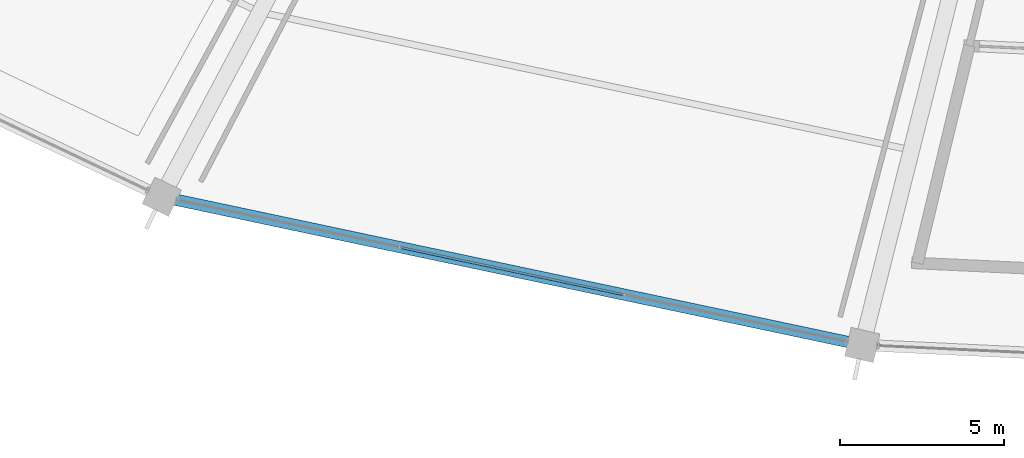
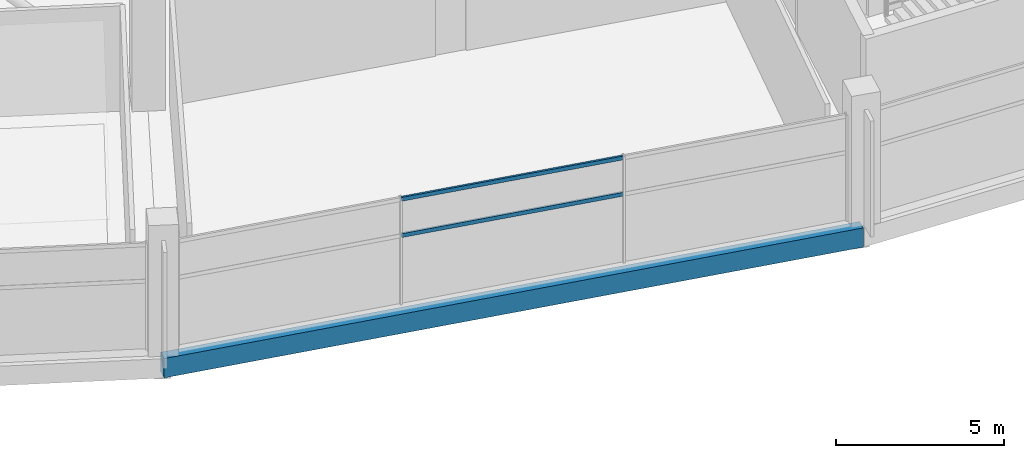
# One storey, part 14 of 156: 2 members, 1 beam, 1 element without a shape of its own.
"""IFC4 building model written with IfcOpenShell, lengths in metres."""

from ifc_helpers import new_model, si_unit, direction, frame, origin, origin_2d, place, context, subcontext, project, spatial, rectangle, hollow_rectangle, extrude, material, layer, layer_set, material_profile, profile_set, type_object, element, aggregate, save


model = new_model("IFC4")

# Units and contexts
model_context = context("Model", 3, precision=1e-05, world=origin(), true_north=direction((0.0, 1.0)))
body_context = subcontext(model_context, "Body", "Model", "MODEL_VIEW")
ifc_project = project(units=[si_unit("LENGTHUNIT", "METRE"), si_unit("AREAUNIT", "SQUARE_METRE"), si_unit("VOLUMEUNIT", "CUBIC_METRE"), si_unit("PLANEANGLEUNIT", "RADIAN"), si_unit("MASSUNIT", "GRAM", prefix="KILO")], contexts=[model_context])

# Site, building, storey
site_placement = place(None, origin())
site = spatial("IfcSite", under=ifc_project, at=site_placement, CompositionType="ELEMENT")
building_placement = place(site_placement, origin())
building = spatial("IfcBuilding", under=site, at=building_placement, Name="Kazemori Nagisa Stadium", CompositionType="ELEMENT")
storey_placement = place(building_placement, frame((0.0, 0.0, 5.780029296875)))
storey = spatial("IfcBuildingStorey", under=building, at=storey_placement, Name="L01", CompositionType="ELEMENT", Elevation=5.780029296875)

# Beam
ifc_material_1 = material(Name="Concrete C40/50 (Fc42)", Category="concrete")
ifc_material_profile_1 = material_profile(ifc_material_1, rectangle(XDim=0.35009765625, YDim=0.699951171875, at=origin_2d()), Name="RC-SP-350x700")
ifc_profile_set_1 = profile_set([ifc_material_profile_1], Name="Concrete C40/50 (Fc42)")
beam_type = type_object("IfcBeamType", Name="Beam_BS-RC350X700", PredefinedType="SPANDREL", material=ifc_profile_set_1)
beam_placement = place(storey_placement, frame((80.1953125, 21.53564453125, -0.630126953125), z_axis=(0.97834587432, -0.206976689994, 0.0), x_axis=(0.206976689994, 0.97834587432, 0.0)))
element("IfcBeam", 1, at=beam_placement, inside=storey, type_object=beam_type, Name="Ring girder BS-RC350X700 L01 R3-20", PredefinedType="SPANDREL", context=body_context, shape_type="SweptSolid", body=[
    extrude(rectangle(XDim=0.35009765625, YDim=0.699951171875, at=origin_2d()), origin(), (0.0, 0.0, 1.0), 21.85009765625),
])

# Curtain wall, members
ifc_material_2 = material(Name="Anodised aluminium 6063-T5", Category="aluminium")
ifc_layer = layer(ifc_material_2, 0.179931640625, Name="Anodised aluminium 6063-T5", Category="aluminium")
ifc_layer_set = layer_set([ifc_layer], Name="Anodised aluminium 6063-T5")
curtain_wall_type = type_object("IfcCurtainWallType", Name="CW_L01R3_105", PredefinedType="USERDEFINED", material=ifc_layer_set)
curtain_wall_placement = place(storey_placement, origin())
curtain_wall = element("IfcCurtainWall", 2, at=curtain_wall_placement, inside=storey, type_object=curtain_wall_type, Name="Unitised curtain wall CW-L01R3-105 L01", ObjectType="UNITISED CURTAIN WALL", PredefinedType="USERDEFINED")
ifc_material_3 = material(Name="Aluminium 6063-T5 anodised", Category="aluminium")
ifc_material_profile_2 = material_profile(ifc_material_3, hollow_rectangle(XDim=0.070068359375, YDim=0.139892578125, WallThickness=0.00390625, at=origin_2d()), Name="ALU-TRAN-70x140x4")
ifc_profile_set_2 = profile_set([ifc_material_profile_2], Name="Aluminium 6063-T5 anodised")
member_type = type_object("IfcMemberType", Name="Transom_T01", PredefinedType="USERDEFINED", material=ifc_profile_set_2)
member_1_placement = place(storey_placement, frame((87.495361328125, 19.9912109375, 2.4638671875), z_axis=(0.978348879673, -0.20696248366, 0.0), x_axis=(0.20696248366, 0.978348879673, 0.0)))
member_1 = element("IfcMember", 3, at=member_1_placement, type_object=member_type, Name="Curtain wall transom CW-L01R3-105-T2-mid", ObjectType="TRANSOM", PredefinedType="USERDEFINED", context=body_context, shape_type="SweptSolid", body=[
    extrude(hollow_rectangle(XDim=0.070068359375, YDim=0.139892578125, WallThickness=0.00390625, at=origin_2d()), origin(), (0.0, 0.0, 1.0), 6.9267578125),
])
member_2_placement = place(storey_placement, frame((87.495361328125, 19.9912109375, 3.780029296875), z_axis=(0.978348879673, -0.20696248366, 0.0), x_axis=(0.20696248366, 0.978348879673, 0.0)))
member_2 = element("IfcMember", 4, at=member_2_placement, type_object=member_type, Name="Curtain wall transom CW-L01R3-105-T2-head", ObjectType="TRANSOM", PredefinedType="USERDEFINED", context=body_context, shape_type="SweptSolid", body=[
    extrude(hollow_rectangle(XDim=0.070068359375, YDim=0.139892578125, WallThickness=0.00390625, at=origin_2d()), origin(), (0.0, 0.0, 1.0), 6.9267578125),
])
aggregate(curtain_wall, [member_1, member_2])

save(model, "model.ifc")
